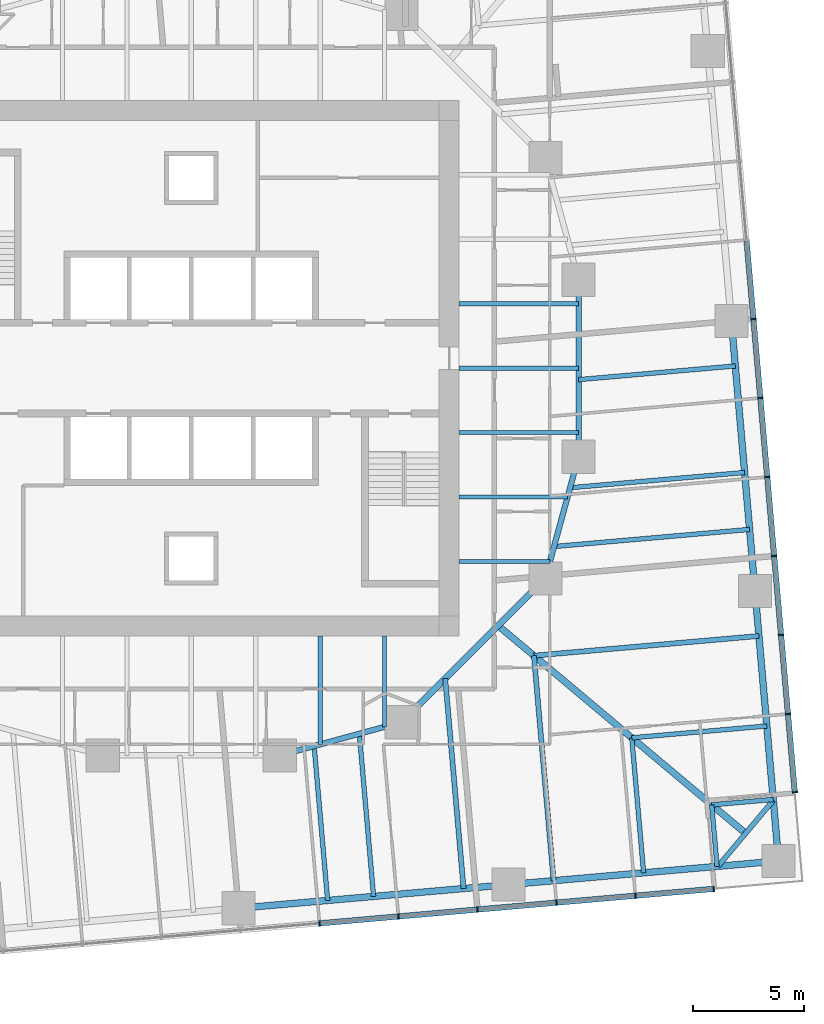
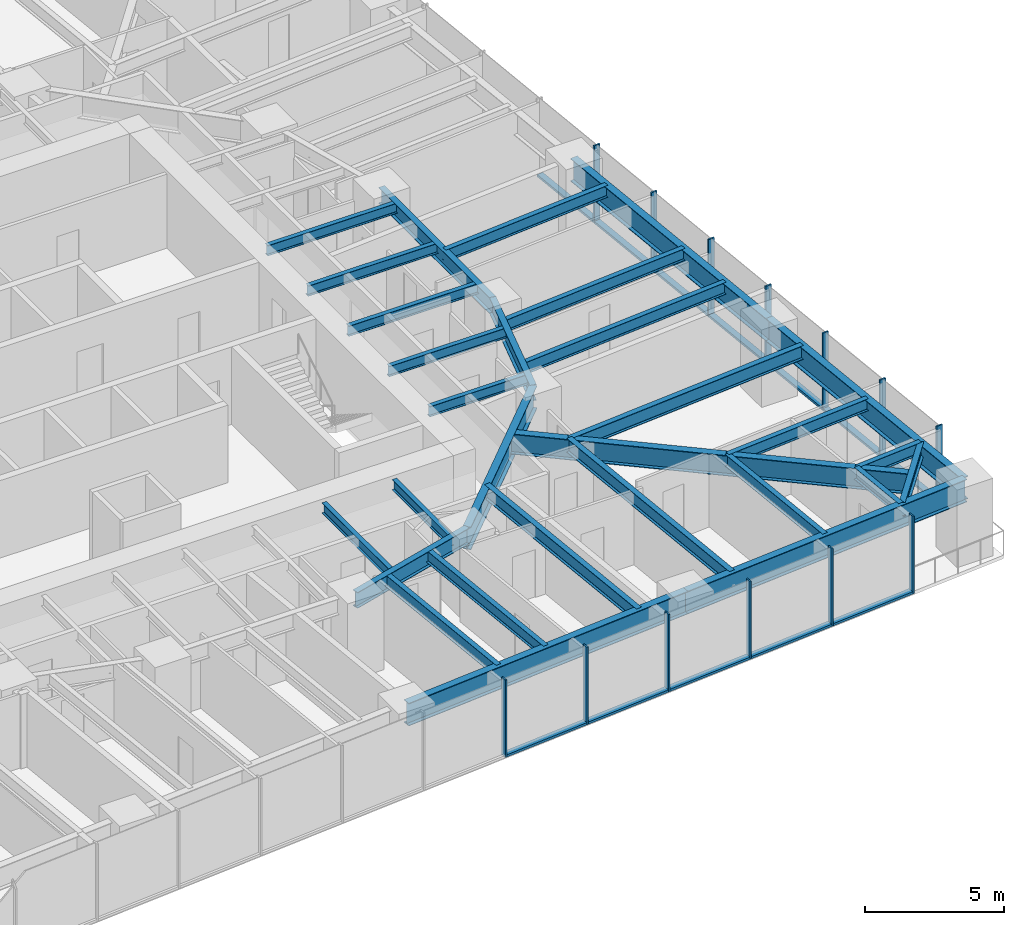
# One storey, part 4 of 14: 29 beams, 25 members, 2 elements without a shape of their own.
"""IFC4 building model written with IfcOpenShell, lengths in metres."""

import ifcopenshell
import ifcopenshell.guid

model = None  # the IFC model being written
_history = None  # IfcOwnerHistory: only IFC2X3 demands one
_inside = {}  # id of a spatial element -> (the spatial element, [elements in it])
_under = {}  # id of a project, library or spatial element -> (it, [spatial elements below it])
_declared = {}  # id of a project -> (the project, [libraries it declares])
_typed = {}  # id of a type object -> (the type object, [elements of that type])
_made_of = {}  # id of a material, layer set ... -> (it, [elements and type objects made of it])


def new_model(schema):
    """Start an empty IFC model of exactly this schema.

    Asked for "IFC4X3", IfcOpenShell would pick the latest addendum, in which some entities
    have other attributes; the version numbers below select the first issue.
    IFC2X3 requires an IfcOwnerHistory on every rooted entity: one is made here for all.
    """
    global model, _history
    if schema == "IFC4X3":
        model = ifcopenshell.file(schema_version=(4, 3, 0, 0))
    else:
        model = ifcopenshell.file(schema=schema)
    _inside.clear()
    _under.clear()
    _declared.clear()
    _typed.clear()
    _made_of.clear()
    _history = None
    if model.schema == "IFC2X3":
        org = make("IfcOrganization", Name="unknown")
        user = make(
            "IfcPersonAndOrganization",
            ThePerson=make("IfcPerson", FamilyName="unknown"),
            TheOrganization=org,
        )
        app = make(
            "IfcApplication",
            ApplicationDeveloper=org,
            Version="unknown",
            ApplicationFullName="unknown",
            ApplicationIdentifier="unknown",
        )
        _history = make(
            "IfcOwnerHistory",
            OwningUser=user,
            OwningApplication=app,
            ChangeAction="ADDED",
            CreationDate=0,
        )
    return model


def make(cls, **values):
    """One entity of the class cls with the attributes given. An attribute that is None is left unset."""
    return model.create_entity(
        cls, **{name: value for name, value in values.items() if value is not None}
    )


def rooted(cls, **values):
    """An entity with a GlobalId (a new one), such as an element, a storey or a relation."""
    return make(cls, GlobalId=ifcopenshell.guid.new(), OwnerHistory=_history, **values)


def si_unit(unit_type, name, prefix=None):
    """IfcSIUnit, for example si_unit("LENGTHUNIT", "METRE", prefix="MILLI")."""
    return make("IfcSIUnit", UnitType=unit_type, Prefix=prefix, Name=name)


def assignment(units):
    """IfcUnitAssignment: the units of a project."""
    return None if units is None else make("IfcUnitAssignment", Units=units)


def point(xyz):
    """IfcCartesianPoint."""
    return None if xyz is None else make("IfcCartesianPoint", Coordinates=xyz)


def direction(xyz):
    """IfcDirection."""
    return None if xyz is None else make("IfcDirection", DirectionRatios=xyz)


def frame(location, z_axis=None, x_axis=None):
    """IfcAxis2Placement3D, a coordinate frame: its origin and axes. An axis left out is left unset."""
    return make(
        "IfcAxis2Placement3D",
        Location=point(location),
        Axis=direction(z_axis),
        RefDirection=direction(x_axis),
    )


def frame_2d(location, x_axis=None):
    """IfcAxis2Placement2D, a coordinate frame in the plane: its origin and x axis."""
    return make(
        "IfcAxis2Placement2D", Location=point(location), RefDirection=direction(x_axis)
    )


def origin():
    """The frame at (0, 0, 0) with its axes left unset."""
    return frame((0.0, 0.0, 0.0))


def origin_2d():
    """The frame at (0, 0) in the plane with its x axis left unset."""
    return frame_2d((0.0, 0.0))


def place(relative_to, where):
    """IfcLocalPlacement: puts the frame where relative to a parent placement (None: the world)."""
    return make(
        "IfcLocalPlacement", PlacementRelTo=relative_to, RelativePlacement=where
    )


def context(
    kind, dimensions, precision=None, world=None, true_north=None, identifier=None
):
    """IfcGeometricRepresentationContext, for example the 3D "Model" context."""
    return make(
        "IfcGeometricRepresentationContext",
        ContextIdentifier=identifier,
        ContextType=kind,
        CoordinateSpaceDimension=dimensions,
        Precision=precision,
        WorldCoordinateSystem=world,
        TrueNorth=true_north,
    )


def subcontext(parent, identifier, kind, view, scale=None):
    """IfcGeometricRepresentationSubContext, for example "Body" below "Model"."""
    return make(
        "IfcGeometricRepresentationSubContext",
        ContextIdentifier=identifier,
        ContextType=kind,
        ParentContext=parent,
        TargetScale=scale,
        TargetView=view,
    )


def project(units=None, contexts=None):
    """IfcProject with its units and contexts."""
    return rooted(
        "IfcProject",
        Name="project",
        RepresentationContexts=contexts,
        UnitsInContext=assignment(units),
    )


def spatial(cls, under=None, at=None, **own):
    """A site, building, storey or space (cls), placed at a placement, below another one or the project."""
    s = rooted(cls, ObjectPlacement=at, **own)
    if under is not None:
        _under.setdefault(under.id(), (under, []))[1].append(s)
    return s


def profile(cls, at=None, kind="AREA", **sizes):
    """A parametric profile (cls). Its sizes go by their IFC names, for example OverallWidth=200.0."""
    return make(cls, ProfileType=kind, Position=at, **sizes)


def rectangle(**sizes):
    """IfcRectangleProfileDef."""
    return profile("IfcRectangleProfileDef", **sizes)


def i_section(**sizes):
    """IfcIShapeProfileDef."""
    return profile("IfcIShapeProfileDef", **sizes)


def extrude(swept, where, along, depth):
    """IfcExtrudedAreaSolid: the profile swept, set in the frame where, extruded along a direction by depth."""
    return make(
        "IfcExtrudedAreaSolid",
        SweptArea=swept,
        Position=where,
        ExtrudedDirection=direction(along),
        Depth=depth,
    )


def shape(context_of_items, identifier, shape_type, items):
    """IfcShapeRepresentation: the items that make up one representation, for example the "Body"."""
    return make(
        "IfcShapeRepresentation",
        ContextOfItems=context_of_items,
        RepresentationIdentifier=identifier,
        RepresentationType=shape_type,
        Items=items,
    )


def material(Name=None, Category=None):
    """IfcMaterial."""
    return make("IfcMaterial", Name=Name, Category=Category)


def material_profile(
    of_material, cross_section, Name=None, Category=None, Priority=None
):
    """IfcMaterialProfile: a cross section and its material."""
    return make(
        "IfcMaterialProfile",
        Name=Name,
        Material=of_material,
        Profile=cross_section,
        Priority=Priority,
        Category=Category,
    )


def profile_set(profiles, Name=None, composite=None):
    """IfcMaterialProfileSet."""
    return make(
        "IfcMaterialProfileSet",
        Name=Name,
        MaterialProfiles=profiles,
        CompositeProfile=composite,
    )


def made_of(thing, what):
    """Note that an element or type object is made of a material, layer set ...; save() writes the relation."""
    if what is not None:
        _made_of.setdefault(what.id(), (what, []))[1].append(thing)
    return thing


def type_object(cls, material=None, **own):
    """A type object (cls), such as IfcWallType, which elements share."""
    return made_of(rooted(cls, **own), material)


def element(
    cls,
    number,
    at=None,
    inside=None,
    cuts=None,
    type_object=None,
    material=None,
    context=None,
    identifier="Body",
    shape_type=None,
    held_by="IfcProductDefinitionShape",
    body=None,
    shapes=None,
    **own,
):
    """One element of the class cls, such as IfcWall. Its Tag is "e" and its number.

    at: its placement. inside: the storey or other place that contains it. cuts: it is an
    opening in that element (IfcRelVoidsElement). A single representation is given by context,
    identifier, shape_type and body (its items); several are given by shapes. held_by: the class
    of the entity that holds the representations. save() writes the other relations.
    """
    e = rooted(cls, Tag="e%d" % number, ObjectPlacement=at, **own)
    if body is not None:
        shapes = [shape(context, identifier, shape_type, body)]
    if shapes is not None:
        e.Representation = make(held_by, Representations=shapes)
    if inside is not None:
        _inside.setdefault(inside.id(), (inside, []))[1].append(e)
    if cuts is not None:
        rooted(
            "IfcRelVoidsElement", RelatingBuildingElement=cuts, RelatedOpeningElement=e
        )
    if type_object is not None:
        _typed.setdefault(type_object.id(), (type_object, []))[1].append(e)
    return made_of(e, material)


def aggregate(whole, parts):
    """IfcRelAggregates: a whole, such as a stair, and the parts it consists of."""
    return rooted("IfcRelAggregates", RelatingObject=whole, RelatedObjects=parts)


def save(model, path):
    """Write the relations noted so far, then the file.

    IfcRelAggregates (storeys below a building ...), IfcRelContainedInSpatialStructure (elements
    in a storey), IfcRelDefinesByType, IfcRelAssociatesMaterial and IfcRelDeclares: one each for
    every whole, place, type object, material and project.
    """
    for whole, parts in _under.values():
        aggregate(whole, parts)
    for where, things in _inside.values():
        rooted(
            "IfcRelContainedInSpatialStructure",
            RelatedElements=things,
            RelatingStructure=where,
        )
    for kind, things in _typed.values():
        rooted("IfcRelDefinesByType", RelatedObjects=things, RelatingType=kind)
    for what, things in _made_of.values():
        rooted("IfcRelAssociatesMaterial", RelatedObjects=things, RelatingMaterial=what)
    for by, libraries in _declared.values():
        rooted("IfcRelDeclares", RelatingContext=by, RelatedDefinitions=libraries)
    model.write(path)


model = new_model("IFC4")

# Units and contexts
model_context = context("Model", 3, precision=1e-05, world=origin(), true_north=direction((0.0, 1.0)))
body_context = subcontext(model_context, "Body", "Model", "MODEL_VIEW")
ifc_project = project(units=[si_unit("LENGTHUNIT", "METRE"), si_unit("AREAUNIT", "SQUARE_METRE"), si_unit("VOLUMEUNIT", "CUBIC_METRE"), si_unit("PLANEANGLEUNIT", "RADIAN"), si_unit("MASSUNIT", "GRAM", prefix="KILO")], contexts=[model_context])

# Site, building, storey
site_placement = place(None, origin())
site = spatial("IfcSite", under=ifc_project, at=site_placement, CompositionType="ELEMENT")
building_placement = place(site_placement, origin())
building = spatial("IfcBuilding", under=site, at=building_placement, Name="Torsade Residences", CompositionType="ELEMENT")
storey_placement = place(building_placement, frame((0.0, 0.0, 64.199951171875)))
storey = spatial("IfcBuildingStorey", under=building, at=storey_placement, Name="L17", CompositionType="ELEMENT", Elevation=64.199951171875)

# Beams
ifc_material_1 = material(Name="Steel grade 300", Category="steel")
ifc_material_profile_1 = material_profile(ifc_material_1, i_section(OverallWidth=0.300048828125, OverallDepth=0.89990234375, WebThickness=0.011962890625, FlangeThickness=0.02490234375, at=origin_2d()), Name="900WB175")
ifc_profile_set_1 = profile_set([ifc_material_profile_1], Name="Steel grade 300")
beam_type_1 = type_object("IfcBeamType", Name="CORNER GIRDER 900WB175", PredefinedType="BEAM", material=ifc_profile_set_1)
beam_1_placement = place(storey_placement, frame((65.052490234375, 8.978515625, 2.800048828125), z_axis=(-0.766046281307, 0.642785419012, 0.0), x_axis=(-0.642785419012, -0.766046281307, 0.0)))
element("IfcBeam", 1, at=beam_1_placement, inside=storey, type_object=beam_type_1, Name="Corner girder 05 L18", PredefinedType="BEAM", context=body_context, shape_type="SweptSolid", body=[
    extrude(i_section(OverallWidth=0.300048828125, OverallDepth=0.89990234375, WebThickness=0.011962890625, FlangeThickness=0.02490234375, at=origin_2d()), origin(), (0.0, 0.0, 1.0), 14.603515625),
])
ifc_material_2 = material(Name="Steel grade 300", Category="steel")
ifc_material_profile_2 = material_profile(ifc_material_2, i_section(OverallWidth=0.22802734375, OverallDepth=0.60205078125, WebThickness=0.010498046875, FlangeThickness=0.014892578125, FilletRadius=0.013916015625, at=origin_2d()), Name="610UB101")
ifc_profile_set_2 = profile_set([ifc_material_profile_2], Name="Steel grade 300")
beam_type_2 = type_object("IfcBeamType", Name="CORNER TRIMMER 610UB101", PredefinedType="BEAM", material=ifc_profile_set_2)
beam_2_placement = place(storey_placement, frame((66.302490234375, 10.468017578125, 2.948974609375), z_axis=(-0.642804819911, -0.766030001697, 0.0), x_axis=(0.766030001697, -0.642804819911, 0.0)))
element("IfcBeam", 2, at=beam_2_placement, inside=storey, type_object=beam_type_2, Name="Corner trimmer 05 L18", PredefinedType="BEAM", context=body_context, shape_type="SweptSolid", body=[
    extrude(i_section(OverallWidth=0.22802734375, OverallDepth=0.60205078125, WebThickness=0.010498046875, FlangeThickness=0.014892578125, FilletRadius=0.013916015625, at=origin_2d()), origin(), (0.0, 0.0, 1.0), 3.88916015625),
])

# Curtain wall, members
ifc_material_3 = material(Name="Aluminium and glass", Category="aluminium")
curtain_wall_type = type_object("IfcCurtainWallType", Name="FRITTED GLASS CURTAIN WALL LOW ZONE", PredefinedType="NOTDEFINED", material=ifc_material_3)
curtain_wall_1_placement = place(storey_placement, origin())
curtain_wall_1 = element("IfcCurtainWall", 3, at=curtain_wall_1_placement, inside=storey, type_object=curtain_wall_type, Name="Curtain wall L17 face 1", PredefinedType="NOTDEFINED")
ifc_material_4 = material(Name="Aluminium mullion", Category="aluminium")
ifc_material_profile_3 = material_profile(ifc_material_4, rectangle(XDim=0.25, YDim=0.06494140625, at=origin_2d()), Name="CURTAIN WALL MULLION 250x65")
ifc_profile_set_3 = profile_set([ifc_material_profile_3], Name="Aluminium mullion")
member_type_1 = type_object("IfcMemberType", Name="CURTAIN WALL MULLION 250x65", PredefinedType="MULLION", material=ifc_profile_set_3)
member_1_placement = place(storey_placement, frame((45.792236328125, 4.909423828125, 0.0), z_axis=(0.0, 0.0, 1.0), x_axis=(-0.087155744208, 0.996194697964, 0.0)))
member_1 = element("IfcMember", 4, at=member_1_placement, type_object=member_type_1, Name="Mullion 8", PredefinedType="MULLION", context=body_context, shape_type="SweptSolid", body=[
    extrude(rectangle(XDim=0.25, YDim=0.06494140625, at=origin_2d()), origin(), (0.0, 0.0, 1.0), 3.400146484375),
])
member_2_placement = place(storey_placement, frame((49.36181640625, 5.2216796875, 0.0), z_axis=(0.0, 0.0, 1.0), x_axis=(-0.087155744208, 0.996194697964, 0.0)))
member_2 = element("IfcMember", 5, at=member_2_placement, type_object=member_type_1, Name="Mullion 9", PredefinedType="MULLION", context=body_context, shape_type="SweptSolid", body=[
    extrude(rectangle(XDim=0.25, YDim=0.06494140625, at=origin_2d()), origin(), (0.0, 0.0, 1.0), 3.400146484375),
])
member_3_placement = place(storey_placement, frame((52.931640625, 5.533935546875, 0.0), z_axis=(0.0, 0.0, 1.0), x_axis=(-0.087155744208, 0.996194697964, 0.0)))
member_3 = element("IfcMember", 6, at=member_3_placement, type_object=member_type_1, Name="Mullion 10", PredefinedType="MULLION", context=body_context, shape_type="SweptSolid", body=[
    extrude(rectangle(XDim=0.25, YDim=0.06494140625, at=origin_2d()), origin(), (0.0, 0.0, 1.0), 3.400146484375),
])
member_4_placement = place(storey_placement, frame((56.501220703125, 5.84619140625, 0.0), z_axis=(0.0, 0.0, 1.0), x_axis=(-0.087155744208, 0.996194697964, 0.0)))
member_4 = element("IfcMember", 7, at=member_4_placement, type_object=member_type_1, Name="Mullion 11", PredefinedType="MULLION", context=body_context, shape_type="SweptSolid", body=[
    extrude(rectangle(XDim=0.25, YDim=0.06494140625, at=origin_2d()), origin(), (0.0, 0.0, 1.0), 3.400146484375),
])
member_5_placement = place(storey_placement, frame((60.071044921875, 6.15869140625, 0.0), z_axis=(0.0, 0.0, 1.0), x_axis=(-0.087155744208, 0.996194697964, 0.0)))
member_5 = element("IfcMember", 8, at=member_5_placement, type_object=member_type_1, Name="Mullion 12", PredefinedType="MULLION", context=body_context, shape_type="SweptSolid", body=[
    extrude(rectangle(XDim=0.25, YDim=0.06494140625, at=origin_2d()), origin(), (0.0, 0.0, 1.0), 3.400146484375),
])
member_6_placement = place(storey_placement, frame((63.6083984375, 6.468017578125, 0.0), z_axis=(0.0, 0.0, 1.0), x_axis=(-0.087155744208, 0.996194697964, 0.0)))
member_6 = element("IfcMember", 9, at=member_6_placement, type_object=member_type_1, Name="Mullion 13", PredefinedType="MULLION", context=body_context, shape_type="SweptSolid", body=[
    extrude(rectangle(XDim=0.25, YDim=0.06494140625, at=origin_2d()), origin(), (0.0, 0.0, 1.0), 3.400146484375),
])

curtain_wall_2_placement = place(storey_placement, origin())
curtain_wall_2 = element("IfcCurtainWall", 10, at=curtain_wall_2_placement, inside=storey, type_object=curtain_wall_type, Name="Curtain wall L17 face 4", PredefinedType="NOTDEFINED")
member_7_placement = place(storey_placement, frame((67.27392578125, 10.836669921875, 0.0), z_axis=(0.0, 0.0, 1.0), x_axis=(-0.996194697964, -0.087155744208, 0.0)))
member_7 = element("IfcMember", 11, at=member_7_placement, type_object=member_type_1, Name="Mullion 1", PredefinedType="MULLION", context=body_context, shape_type="SweptSolid", body=[
    extrude(rectangle(XDim=0.25, YDim=0.06494140625, at=origin_2d()), origin(), (0.0, 0.0, 1.0), 3.400146484375),
])
member_8_placement = place(storey_placement, frame((66.964599609375, 14.3740234375, 0.0), z_axis=(0.0, 0.0, 1.0), x_axis=(-0.996194697964, -0.087155744208, 0.0)))
member_8 = element("IfcMember", 12, at=member_8_placement, type_object=member_type_1, Name="Mullion 2", PredefinedType="MULLION", context=body_context, shape_type="SweptSolid", body=[
    extrude(rectangle(XDim=0.25, YDim=0.06494140625, at=origin_2d()), origin(), (0.0, 0.0, 1.0), 3.400146484375),
])
member_9_placement = place(storey_placement, frame((66.652099609375, 17.943603515625, 0.0), z_axis=(0.0, 0.0, 1.0), x_axis=(-0.996194697964, -0.087155744208, 0.0)))
member_9 = element("IfcMember", 13, at=member_9_placement, type_object=member_type_1, Name="Mullion 3", PredefinedType="MULLION", context=body_context, shape_type="SweptSolid", body=[
    extrude(rectangle(XDim=0.25, YDim=0.06494140625, at=origin_2d()), origin(), (0.0, 0.0, 1.0), 3.400146484375),
])
member_10_placement = place(storey_placement, frame((66.33984375, 21.513427734375, 0.0), z_axis=(0.0, 0.0, 1.0), x_axis=(-0.996194697964, -0.087155744208, 0.0)))
member_10 = element("IfcMember", 14, at=member_10_placement, type_object=member_type_1, Name="Mullion 4", PredefinedType="MULLION", context=body_context, shape_type="SweptSolid", body=[
    extrude(rectangle(XDim=0.25, YDim=0.06494140625, at=origin_2d()), origin(), (0.0, 0.0, 1.0), 3.400146484375),
])
member_11_placement = place(storey_placement, frame((66.027587890625, 25.0830078125, 0.0), z_axis=(0.0, 0.0, 1.0), x_axis=(-0.996194697964, -0.087155744208, 0.0)))
member_11 = element("IfcMember", 15, at=member_11_placement, type_object=member_type_1, Name="Mullion 5", PredefinedType="MULLION", context=body_context, shape_type="SweptSolid", body=[
    extrude(rectangle(XDim=0.25, YDim=0.06494140625, at=origin_2d()), origin(), (0.0, 0.0, 1.0), 3.400146484375),
])
member_12_placement = place(storey_placement, frame((65.71533203125, 28.65283203125, 0.0), z_axis=(0.0, 0.0, 1.0), x_axis=(-0.996194697964, -0.087155744208, 0.0)))
member_12 = element("IfcMember", 16, at=member_12_placement, type_object=member_type_1, Name="Mullion 6", PredefinedType="MULLION", context=body_context, shape_type="SweptSolid", body=[
    extrude(rectangle(XDim=0.25, YDim=0.06494140625, at=origin_2d()), origin(), (0.0, 0.0, 1.0), 3.400146484375),
])
member_13_placement = place(storey_placement, frame((65.403076171875, 32.222412109375, 0.0), z_axis=(0.0, 0.0, 1.0), x_axis=(-0.996194697964, -0.087155744208, 0.0)))
member_13 = element("IfcMember", 17, at=member_13_placement, type_object=member_type_1, Name="Mullion 7", PredefinedType="MULLION", context=body_context, shape_type="SweptSolid", body=[
    extrude(rectangle(XDim=0.25, YDim=0.06494140625, at=origin_2d()), origin(), (0.0, 0.0, 1.0), 3.400146484375),
])

# Member
ifc_material_5 = material(Name="Aluminium transom", Category="aluminium")
ifc_material_profile_4 = material_profile(ifc_material_5, rectangle(XDim=0.25, YDim=0.10009765625, at=origin_2d()), Name="CURTAIN WALL TRANSOM 250x100")
ifc_profile_set_4 = profile_set([ifc_material_profile_4], Name="Aluminium transom")
member_type_2 = type_object("IfcMemberType", Name="CURTAIN WALL TRANSOM 250x100", PredefinedType="USERDEFINED", material=ifc_profile_set_4)
member_14_placement = place(storey_placement, frame((45.824462890625, 4.912109375, 0.050048828125), z_axis=(0.996195148363, 0.08715059597, 0.0), x_axis=(-0.08715059597, 0.996195148363, 0.0)))
member_14 = element("IfcMember", 18, at=member_14_placement, type_object=member_type_2, Name="Transom 8.1", ObjectType="TRANSOM", PredefinedType="USERDEFINED", context=body_context, shape_type="SweptSolid", body=[
    extrude(rectangle(XDim=0.25, YDim=0.10009765625, at=origin_2d()), origin(), (0.0, 0.0, 1.0), 3.5185546875),
])

member_15_placement = place(storey_placement, frame((49.394287109375, 5.224365234375, 0.050048828125), z_axis=(0.996194621295, 0.087156620531, 0.0), x_axis=(-0.087156620531, 0.996194621295, 0.0)))
member_15 = element("IfcMember", 19, at=member_15_placement, type_object=member_type_2, Name="Transom 9.1", ObjectType="TRANSOM", PredefinedType="USERDEFINED", context=body_context, shape_type="SweptSolid", body=[
    extrude(rectangle(XDim=0.25, YDim=0.10009765625, at=origin_2d()), origin(), (0.0, 0.0, 1.0), 3.518310546875),
])

member_16_placement = place(storey_placement, frame((52.9638671875, 5.536865234375, 0.050048828125), z_axis=(0.996195148363, 0.08715059597, 0.0), x_axis=(-0.08715059597, 0.996195148363, 0.0)))
member_16 = element("IfcMember", 20, at=member_16_placement, type_object=member_type_2, Name="Transom 10.1", ObjectType="TRANSOM", PredefinedType="USERDEFINED", context=body_context, shape_type="SweptSolid", body=[
    extrude(rectangle(XDim=0.25, YDim=0.10009765625, at=origin_2d()), origin(), (0.0, 0.0, 1.0), 3.5185546875),
])

member_17_placement = place(storey_placement, frame((56.53369140625, 5.84912109375, 0.050048828125), z_axis=(0.996194621295, 0.087156620531, 0.0), x_axis=(-0.087156620531, 0.996194621295, 0.0)))
member_17 = element("IfcMember", 21, at=member_17_placement, type_object=member_type_2, Name="Transom 11.1", ObjectType="TRANSOM", PredefinedType="USERDEFINED", context=body_context, shape_type="SweptSolid", body=[
    extrude(rectangle(XDim=0.25, YDim=0.10009765625, at=origin_2d()), origin(), (0.0, 0.0, 1.0), 3.518310546875),
])

member_18_placement = place(storey_placement, frame((60.103271484375, 6.161376953125, 0.050048828125), z_axis=(0.996191284475, 0.08719475177, 0.0), x_axis=(-0.08719475177, 0.996191284475, 0.0)))
member_18 = element("IfcMember", 22, at=member_18_placement, type_object=member_type_2, Name="Transom 12.1", ObjectType="TRANSOM", PredefinedType="USERDEFINED", context=body_context, shape_type="SweptSolid", body=[
    extrude(rectangle(XDim=0.25, YDim=0.10009765625, at=origin_2d()), origin(), (0.0, 0.0, 1.0), 3.48583984375),
])

aggregate(curtain_wall_1, [member_1, member_2, member_3, member_4, member_5, member_6, member_14, member_15, member_16, member_17, member_18])

member_19_placement = place(storey_placement, frame((67.271240234375, 10.869140625, 0.050048828125), z_axis=(-0.0872008357, 0.996190751941, 0.0), x_axis=(-0.996190751941, -0.0872008357, 0.0)))
member_19 = element("IfcMember", 23, at=member_19_placement, type_object=member_type_2, Name="Transom 1.1", ObjectType="TRANSOM", PredefinedType="USERDEFINED", context=body_context, shape_type="SweptSolid", body=[
    extrude(rectangle(XDim=0.25, YDim=0.10009765625, at=origin_2d()), origin(), (0.0, 0.0, 1.0), 3.485595703125),
])

member_20_placement = place(storey_placement, frame((66.961669921875, 14.40625, 0.050048828125), z_axis=(-0.08715059597, 0.996195148363, 0.0), x_axis=(-0.996195148363, -0.08715059597, 0.0)))
member_20 = element("IfcMember", 24, at=member_20_placement, type_object=member_type_2, Name="Transom 2.1", ObjectType="TRANSOM", PredefinedType="USERDEFINED", context=body_context, shape_type="SweptSolid", body=[
    extrude(rectangle(XDim=0.25, YDim=0.10009765625, at=origin_2d()), origin(), (0.0, 0.0, 1.0), 3.5185546875),
])

member_21_placement = place(storey_placement, frame((66.6494140625, 17.97607421875, 0.050048828125), z_axis=(-0.087156620531, 0.996194621295, 0.0), x_axis=(-0.996194621295, -0.087156620531, 0.0)))
member_21 = element("IfcMember", 25, at=member_21_placement, type_object=member_type_2, Name="Transom 3.1", ObjectType="TRANSOM", PredefinedType="USERDEFINED", context=body_context, shape_type="SweptSolid", body=[
    extrude(rectangle(XDim=0.25, YDim=0.10009765625, at=origin_2d()), origin(), (0.0, 0.0, 1.0), 3.518310546875),
])

member_22_placement = place(storey_placement, frame((66.337158203125, 21.545654296875, 0.050048828125), z_axis=(-0.08715059597, 0.996195148363, 0.0), x_axis=(-0.996195148363, -0.08715059597, 0.0)))
member_22 = element("IfcMember", 26, at=member_22_placement, type_object=member_type_2, Name="Transom 4.1", ObjectType="TRANSOM", PredefinedType="USERDEFINED", context=body_context, shape_type="SweptSolid", body=[
    extrude(rectangle(XDim=0.25, YDim=0.10009765625, at=origin_2d()), origin(), (0.0, 0.0, 1.0), 3.5185546875),
])

member_23_placement = place(storey_placement, frame((66.024658203125, 25.115478515625, 0.050048828125), z_axis=(-0.087156620531, 0.996194621295, 0.0), x_axis=(-0.996194621295, -0.087156620531, 0.0)))
member_23 = element("IfcMember", 27, at=member_23_placement, type_object=member_type_2, Name="Transom 5.1", ObjectType="TRANSOM", PredefinedType="USERDEFINED", context=body_context, shape_type="SweptSolid", body=[
    extrude(rectangle(XDim=0.25, YDim=0.10009765625, at=origin_2d()), origin(), (0.0, 0.0, 1.0), 3.518310546875),
])

member_24_placement = place(storey_placement, frame((65.71240234375, 28.68505859375, 0.050048828125), z_axis=(-0.08715059597, 0.996195148363, 0.0), x_axis=(-0.996195148363, -0.08715059597, 0.0)))
member_24 = element("IfcMember", 28, at=member_24_placement, type_object=member_type_2, Name="Transom 6.1", ObjectType="TRANSOM", PredefinedType="USERDEFINED", context=body_context, shape_type="SweptSolid", body=[
    extrude(rectangle(XDim=0.25, YDim=0.10009765625, at=origin_2d()), origin(), (0.0, 0.0, 1.0), 3.5185546875),
])

member_25_placement = place(storey_placement, frame((65.400146484375, 32.2548828125, 0.050048828125), z_axis=(-0.087156620531, 0.996194621295, 0.0), x_axis=(-0.996194621295, -0.087156620531, 0.0)))
member_25 = element("IfcMember", 29, at=member_25_placement, type_object=member_type_2, Name="Transom 7.1", ObjectType="TRANSOM", PredefinedType="USERDEFINED", context=body_context, shape_type="SweptSolid", body=[
    extrude(rectangle(XDim=0.25, YDim=0.10009765625, at=origin_2d()), origin(), (0.0, 0.0, 1.0), 3.518310546875),
])

aggregate(curtain_wall_2, [member_7, member_8, member_9, member_10, member_11, member_12, member_13, member_19, member_20, member_21, member_22, member_23, member_24, member_25])

# Beams
ifc_material_6 = material(Name="Steel grade 300", Category="steel")
ifc_material_profile_5 = material_profile(ifc_material_6, i_section(OverallWidth=0.300048828125, OverallDepth=1.0, WebThickness=0.01611328125, FlangeThickness=0.028076171875, at=origin_2d()), Name="1000WB215")
ifc_profile_set_5 = profile_set([ifc_material_profile_5], Name="Steel grade 300")
beam_type_3 = type_object("IfcBeamType", Name="EDGE BEAM 1000WB215", PredefinedType="SPANDREL", material=ifc_profile_set_5)
for number, where, z_axis, x_axis, name in (
    (30, (42.13525390625, 5.59326171875, 2.75), (0.996194907201, 0.08715335259, 0.0), (-0.08715335259, 0.996194907201, 0.0), "Edge beam 03 L18"),
    (31, (54.338623046875, 6.660888671875, 2.75), (0.996194907201, 0.08715335259, 0.0), (-0.08715335259, 0.996194907201, 0.0), "Edge beam 04 L18"),
    (32, (66.5419921875, 7.728515625, 2.75), (-0.08715335259, 0.996194907201, 0.0), (-0.996194907201, -0.08715335259, 0.0), "Edge beam 05 L18"),
    (33, (65.474365234375, 19.931884765625, 2.75), (-0.08715335259, 0.996194907201, 0.0), (-0.996194907201, -0.08715335259, 0.0), "Edge beam 06 L18"),
):
    element("IfcBeam", number, at=place(storey_placement, frame(where, z_axis=z_axis, x_axis=x_axis)), inside=storey, type_object=beam_type_3, Name=name, PredefinedType="SPANDREL", context=body_context, shape_type="SweptSolid", body=[
        extrude(i_section(OverallWidth=0.300048828125, OverallDepth=1.0, WebThickness=0.01611328125, FlangeThickness=0.028076171875, at=origin_2d()), origin(), (0.0, 0.0, 1.0), 12.25),
    ])
ifc_material_7 = material(Name="Steel grade 300", Category="steel")
ifc_material_profile_6 = material_profile(ifc_material_7, i_section(OverallWidth=0.18994140625, OverallDepth=0.4541015625, WebThickness=0.008544921875, FlangeThickness=0.0126953125, FilletRadius=0.011474609375, at=origin_2d()), Name="460UB67.1")
ifc_profile_set_6 = profile_set([ifc_material_profile_6], Name="Steel grade 300")
beam_type_4 = type_object("IfcBeamType", Name="INNER FLOOR BEAM 460UB67.1", PredefinedType="JOIST", material=ifc_profile_set_6)
beam_3_placement = place(storey_placement, frame((48.737548828125, 17.89990234375, 3.02294921875), z_axis=(0.0, -1.0, 0.0), x_axis=(1.0, 0.0, 0.0)))
element("IfcBeam", 34, at=beam_3_placement, inside=storey, type_object=beam_type_4, Name="Inner floor beam IS01 L18", PredefinedType="JOIST", context=body_context, shape_type="SweptSolid", body=[
    extrude(i_section(OverallWidth=0.18994140625, OverallDepth=0.4541015625, WebThickness=0.008544921875, FlangeThickness=0.0126953125, FilletRadius=0.011474609375, at=origin_2d()), origin(), (0.0, 0.0, 1.0), 4.10791015625),
])
beam_4_placement = place(storey_placement, frame((45.824951171875, 17.89990234375, 3.02294921875), z_axis=(0.0, -1.0, 0.0), x_axis=(1.0, 0.0, 0.0)))
element("IfcBeam", 35, at=beam_4_placement, inside=storey, type_object=beam_type_4, Name="Inner floor beam IS02 L18", PredefinedType="JOIST", context=body_context, shape_type="SweptSolid", body=[
    extrude(i_section(OverallWidth=0.18994140625, OverallDepth=0.4541015625, WebThickness=0.008544921875, FlangeThickness=0.0126953125, FilletRadius=0.011474609375, at=origin_2d()), origin(), (0.0, 0.0, 1.0), 4.902099609375),
])
beam_5_placement = place(storey_placement, frame((52.10009765625, 21.262451171875, 3.02294921875), z_axis=(1.0, 0.0, 0.0), x_axis=(0.0, 1.0, 0.0)))
element("IfcBeam", 36, at=beam_5_placement, inside=storey, type_object=beam_type_4, Name="Inner floor beam IE01 L18", PredefinedType="JOIST", context=body_context, shape_type="SweptSolid", body=[
    extrude(i_section(OverallWidth=0.18994140625, OverallDepth=0.4541015625, WebThickness=0.008544921875, FlangeThickness=0.0126953125, FilletRadius=0.011474609375, at=origin_2d()), origin(), (0.0, 0.0, 1.0), 4.10791015625),
])
beam_6_placement = place(storey_placement, frame((52.10009765625, 24.175048828125, 3.02294921875), z_axis=(1.0, 0.0, 0.0), x_axis=(0.0, 1.0, 0.0)))
element("IfcBeam", 37, at=beam_6_placement, inside=storey, type_object=beam_type_4, Name="Inner floor beam IE02 L18", PredefinedType="JOIST", context=body_context, shape_type="SweptSolid", body=[
    extrude(i_section(OverallWidth=0.18994140625, OverallDepth=0.4541015625, WebThickness=0.008544921875, FlangeThickness=0.0126953125, FilletRadius=0.011474609375, at=origin_2d()), origin(), (0.0, 0.0, 1.0), 4.902099609375),
])
for number, where, z_axis, x_axis, name in (
    (38, (52.10009765625, 27.08740234375, 3.02294921875), (1.0, 0.0, 0.0), (0.0, 1.0, 0.0), "Inner floor beam IE03 L18"),
    (39, (52.10009765625, 30.0, 3.02294921875), (1.0, 0.0, 0.0), (0.0, 1.0, 0.0), "Inner floor beam IE04 L18"),
    (40, (52.10009765625, 32.91259765625, 3.02294921875), (1.0, 0.0, 0.0), (0.0, 1.0, 0.0), "Inner floor beam IE05 L18"),
):
    element("IfcBeam", number, at=place(storey_placement, frame(where, z_axis=z_axis, x_axis=x_axis)), inside=storey, type_object=beam_type_4, Name=name, PredefinedType="JOIST", context=body_context, shape_type="SweptSolid", body=[
        extrude(i_section(OverallWidth=0.18994140625, OverallDepth=0.4541015625, WebThickness=0.008544921875, FlangeThickness=0.0126953125, FilletRadius=0.011474609375, at=origin_2d()), origin(), (0.0, 0.0, 1.0), 5.39990234375),
    ])
ifc_material_8 = material(Name="Steel grade 300", Category="steel")
ifc_material_profile_7 = material_profile(ifc_material_8, i_section(OverallWidth=0.300048828125, OverallDepth=1.0, WebThickness=0.01611328125, FlangeThickness=0.028076171875, at=origin_2d()), Name="1000WB215")
ifc_profile_set_7 = profile_set([ifc_material_profile_7], Name="Steel grade 300")
beam_type_5 = type_object("IfcBeamType", Name="RING CORNER GIRDER 1000WB215", PredefinedType="BEAM", material=ifc_profile_set_7)
beam_7_placement = place(storey_placement, frame((49.5, 14.0, 2.75), z_axis=(0.707106781187, 0.707106781187, 0.0), x_axis=(-0.707106781187, 0.707106781187, 0.0)))
element("IfcBeam", 41, at=beam_7_placement, inside=storey, type_object=beam_type_5, Name="Ring girder IR15 L18", PredefinedType="BEAM", context=body_context, shape_type="SweptSolid", body=[
    extrude(i_section(OverallWidth=0.300048828125, OverallDepth=1.0, WebThickness=0.01611328125, FlangeThickness=0.028076171875, at=origin_2d()), origin(), (0.0, 0.0, 1.0), 9.1923828125),
])
ifc_material_9 = material(Name="Steel grade 300", Category="steel")
ifc_material_profile_8 = material_profile(ifc_material_9, i_section(OverallWidth=0.25, OverallDepth=0.699951171875, WebThickness=0.010009765625, FlangeThickness=0.02001953125, at=origin_2d()), Name="700WB130")
ifc_profile_set_8 = profile_set([ifc_material_profile_8], Name="Steel grade 300")
beam_type_6 = type_object("IfcBeamType", Name="RING GIRDER 700WB130", PredefinedType="BEAM", material=ifc_profile_set_8)
beam_8_placement = place(storey_placement, frame((57.5, 26.0, 2.900146484375), z_axis=(0.0, 1.0, 0.0), x_axis=(-1.0, 0.0, 0.0)))
element("IfcBeam", 42, at=beam_8_placement, inside=storey, type_object=beam_type_6, Name="Ring girder IR01 L18", PredefinedType="BEAM", context=body_context, shape_type="SweptSolid", body=[
    extrude(i_section(OverallWidth=0.25, OverallDepth=0.699951171875, WebThickness=0.010009765625, FlangeThickness=0.02001953125, at=origin_2d()), origin(), (0.0, 0.0, 1.0), 8.0),
])
for number, where, z_axis, x_axis, name in (
    (43, (44.0, 12.5, 2.900146484375), (0.964763821238, 0.263117405792, 0.0), (-0.263117405792, 0.964763821238, 0.0), "Ring girder IR14 L18"),
    (44, (56.0, 20.5, 2.900146484375), (0.263117405792, 0.964763821238, 0.0), (-0.964763821238, 0.263117405792, 0.0), "Ring girder IR16 L18"),
):
    element("IfcBeam", number, at=place(storey_placement, frame(where, z_axis=z_axis, x_axis=x_axis)), inside=storey, type_object=beam_type_6, Name=name, PredefinedType="BEAM", context=body_context, shape_type="SweptSolid", body=[
        extrude(i_section(OverallWidth=0.25, OverallDepth=0.699951171875, WebThickness=0.010009765625, FlangeThickness=0.02001953125, at=origin_2d()), origin(), (0.0, 0.0, 1.0), 5.700927734375),
    ])
ifc_material_10 = material(Name="Steel grade 300", Category="steel")
ifc_material_profile_9 = material_profile(ifc_material_10, i_section(OverallWidth=0.208984375, OverallDepth=0.528076171875, WebThickness=0.009521484375, FlangeThickness=0.01318359375, FilletRadius=0.013916015625, at=origin_2d()), Name="530UB82.0")
ifc_profile_set_9 = profile_set([ifc_material_profile_9], Name="Steel grade 300")
beam_type_7 = type_object("IfcBeamType", Name="SECONDARY BEAM 530UB82.0", PredefinedType="JOIST", material=ifc_profile_set_9)
beam_9_placement = place(storey_placement, frame((46.16162109375, 5.945556640625, 2.986083984375), z_axis=(-0.087175598142, 0.99619296077, 0.0), x_axis=(-0.99619296077, -0.087175598142, 0.0)))
element("IfcBeam", 45, at=beam_9_placement, inside=storey, type_object=beam_type_7, Name="Floor beam FS07 L18", PredefinedType="JOIST", context=body_context, shape_type="SweptSolid", body=[
    extrude(i_section(OverallWidth=0.208984375, OverallDepth=0.528076171875, WebThickness=0.009521484375, FlangeThickness=0.01318359375, FilletRadius=0.013916015625, at=origin_2d()), origin(), (0.0, 0.0, 1.0), 7.004150390625),
])
beam_10_placement = place(storey_placement, frame((48.237060546875, 6.126953125, 2.986083984375), z_axis=(-0.087156282128, 0.996194650902, 0.0), x_axis=(-0.996194650902, -0.087156282128, 0.0)))
element("IfcBeam", 46, at=beam_10_placement, inside=storey, type_object=beam_type_7, Name="Floor beam FS08 L18", PredefinedType="JOIST", context=body_context, shape_type="SweptSolid", body=[
    extrude(i_section(OverallWidth=0.208984375, OverallDepth=0.528076171875, WebThickness=0.009521484375, FlangeThickness=0.01318359375, FilletRadius=0.013916015625, at=origin_2d()), origin(), (0.0, 0.0, 1.0), 7.381103515625),
])
beam_11_placement = place(storey_placement, frame((60.4404296875, 7.19482421875, 2.986083984375), z_axis=(-0.087174861801, 0.996193025206, 0.0), x_axis=(-0.996193025206, -0.087174861801, 0.0)))
element("IfcBeam", 47, at=beam_11_placement, inside=storey, type_object=beam_type_7, Name="Floor beam FS11 L18", PredefinedType="JOIST", context=body_context, shape_type="SweptSolid", body=[
    extrude(i_section(OverallWidth=0.208984375, OverallDepth=0.528076171875, WebThickness=0.009521484375, FlangeThickness=0.01318359375, FilletRadius=0.013916015625, at=origin_2d()), origin(), (0.0, 0.0, 1.0), 6.125),
])
for number, where, z_axis, x_axis, name in (
    (48, (63.760986328125, 7.4853515625, 2.986083984375), (-0.087105111923, 0.996199126418, 0.0), (-0.996199126418, -0.087105111923, 0.0), "Floor beam FS12 L18"),
    (49, (66.298828125, 10.509521484375, 2.986083984375), (-0.996199126418, -0.087105111923, 0.0), (0.087105111923, -0.996199126418, 0.0), "Floor beam FE01 L18"),
):
    element("IfcBeam", number, at=place(storey_placement, frame(where, z_axis=z_axis, x_axis=x_axis)), inside=storey, type_object=beam_type_7, Name=name, PredefinedType="JOIST", context=body_context, shape_type="SweptSolid", body=[
        extrude(i_section(OverallWidth=0.208984375, OverallDepth=0.528076171875, WebThickness=0.009521484375, FlangeThickness=0.01318359375, FilletRadius=0.013916015625, at=origin_2d()), origin(), (0.0, 0.0, 1.0), 2.79150390625),
    ])
beam_12_placement = place(storey_placement, frame((66.00830078125, 13.830322265625, 2.986083984375), z_axis=(-0.996193328106, -0.087171400335, 0.0), x_axis=(0.087171400335, -0.996193328106, 0.0)))
element("IfcBeam", 50, at=beam_12_placement, inside=storey, type_object=beam_type_7, Name="Floor beam FE02 L18", PredefinedType="JOIST", context=body_context, shape_type="SweptSolid", body=[
    extrude(i_section(OverallWidth=0.208984375, OverallDepth=0.528076171875, WebThickness=0.009521484375, FlangeThickness=0.01318359375, FilletRadius=0.013916015625, at=origin_2d()), origin(), (0.0, 0.0, 1.0), 6.125244140625),
])
beam_13_placement = place(storey_placement, frame((65.231201171875, 22.712890625, 2.986083984375), z_axis=(-0.996195539225, -0.08714612802, 0.0), x_axis=(0.08714612802, -0.996195539225, 0.0)))
element("IfcBeam", 51, at=beam_13_placement, inside=storey, type_object=beam_type_7, Name="Floor beam FE04 L18", PredefinedType="JOIST", context=body_context, shape_type="SweptSolid", body=[
    extrude(i_section(OverallWidth=0.208984375, OverallDepth=0.528076171875, WebThickness=0.009521484375, FlangeThickness=0.01318359375, FilletRadius=0.013916015625, at=origin_2d()), origin(), (0.0, 0.0, 1.0), 8.872314453125),
])
beam_14_placement = place(storey_placement, frame((65.005859375, 25.286376953125, 2.986083984375), z_axis=(-0.996194520605, -0.087157771408, 0.0), x_axis=(0.087157771408, -0.996194520605, 0.0)))
element("IfcBeam", 52, at=beam_14_placement, inside=storey, type_object=beam_type_7, Name="Floor beam FE05 L18", PredefinedType="JOIST", context=body_context, shape_type="SweptSolid", body=[
    extrude(i_section(OverallWidth=0.208984375, OverallDepth=0.528076171875, WebThickness=0.009521484375, FlangeThickness=0.01318359375, FilletRadius=0.013916015625, at=origin_2d()), origin(), (0.0, 0.0, 1.0), 7.918701171875),
])
beam_15_placement = place(storey_placement, frame((64.584716796875, 30.101318359375, 2.986083984375), z_axis=(-0.996197182094, -0.087127345813, 0.0), x_axis=(0.087127345813, -0.996197182094, 0.0)))
element("IfcBeam", 53, at=beam_15_placement, inside=storey, type_object=beam_type_7, Name="Floor beam FE06 L18", PredefinedType="JOIST", context=body_context, shape_type="SweptSolid", body=[
    extrude(i_section(OverallWidth=0.208984375, OverallDepth=0.528076171875, WebThickness=0.009521484375, FlangeThickness=0.01318359375, FilletRadius=0.013916015625, at=origin_2d()), origin(), (0.0, 0.0, 1.0), 7.11181640625),
])
ifc_material_11 = material(Name="Steel grade 300", Category="steel")
ifc_material_profile_10 = material_profile(ifc_material_11, i_section(OverallWidth=0.22900390625, OverallDepth=0.612060546875, WebThickness=0.011962890625, FlangeThickness=0.01953125, FilletRadius=0.013916015625, at=origin_2d()), Name="610UB125")
ifc_profile_set_10 = profile_set([ifc_material_profile_10], Name="Steel grade 300")
beam_type_8 = type_object("IfcBeamType", Name="SECONDARY BEAM 610UB125", PredefinedType="JOIST", material=ifc_profile_set_10)
beam_16_placement = place(storey_placement, frame((52.3046875, 6.48291015625, 2.944091796875), z_axis=(-0.087148195942, 0.996195358323, 0.0), x_axis=(-0.996195358323, -0.087148195942, 0.0)))
element("IfcBeam", 54, at=beam_16_placement, inside=storey, type_object=beam_type_8, Name="Floor beam FS09 L18", PredefinedType="JOIST", context=body_context, shape_type="SweptSolid", body=[
    extrude(i_section(OverallWidth=0.22900390625, OverallDepth=0.612060546875, WebThickness=0.011962890625, FlangeThickness=0.01953125, FilletRadius=0.013916015625, at=origin_2d()), origin(), (0.0, 0.0, 1.0), 9.527587890625),
])
for number, where, z_axis, x_axis, name in (
    (55, (56.37255859375, 6.8388671875, 2.944091796875), (-0.087149742944, 0.996195222988, 0.0), (-0.996195222988, -0.087149742944, 0.0), "Floor beam FS10 L18"),
    (56, (65.65234375, 17.89794921875, 2.944091796875), (-0.996195222988, -0.087149742944, 0.0), (0.087149742944, -0.996195222988, 0.0), "Floor beam FE03 L18"),
):
    element("IfcBeam", number, at=place(storey_placement, frame(where, z_axis=z_axis, x_axis=x_axis)), inside=storey, type_object=beam_type_8, Name=name, PredefinedType="JOIST", context=body_context, shape_type="SweptSolid", body=[
        extrude(i_section(OverallWidth=0.22900390625, OverallDepth=0.612060546875, WebThickness=0.011962890625, FlangeThickness=0.01953125, FilletRadius=0.013916015625, at=origin_2d()), origin(), (0.0, 0.0, 1.0), 10.208251953125),
    ])

save(model, "model.ifc")
